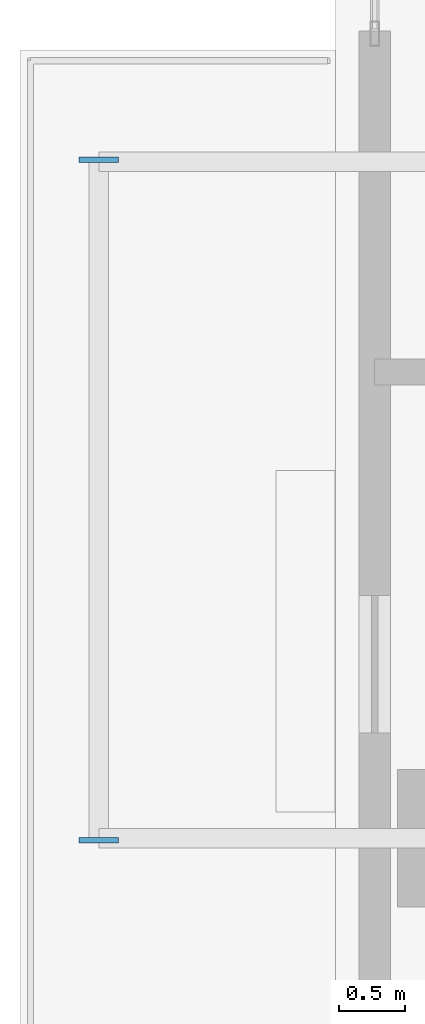
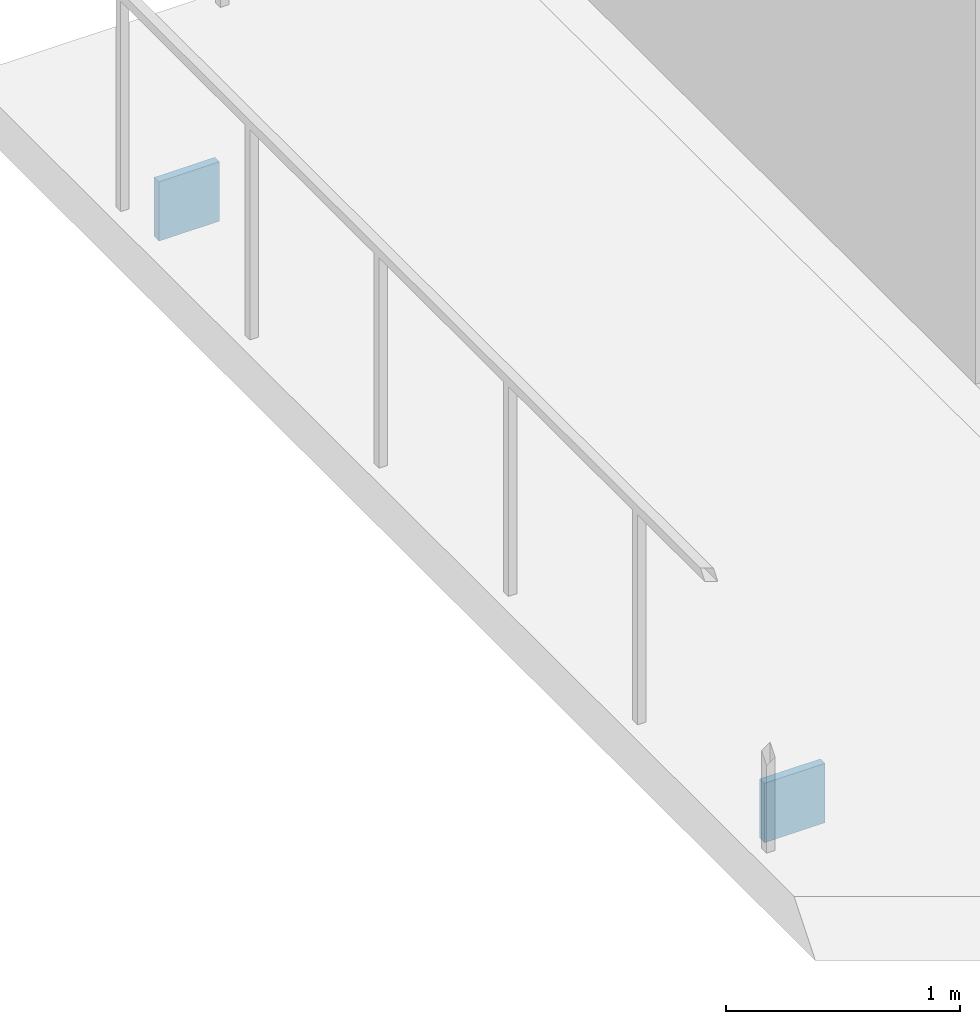
# One storey, part 18 of 25: 2 plates.
"""IFC4 building model written with IfcOpenShell, lengths in metres."""

from ifc_helpers import new_model, si_unit, direction, frame, origin, origin_2d, place, context, subcontext, project, spatial, rectangle, extrude, material, layer, layer_set, type_object, element, save


model = new_model("IFC4")

# Units and contexts
model_context = context("Model", 3, precision=1e-05, world=origin(), true_north=direction((0.0, 1.0)))
body_context = subcontext(model_context, "Body", "Model", "MODEL_VIEW")
ifc_project = project(units=[si_unit("LENGTHUNIT", "METRE"), si_unit("AREAUNIT", "SQUARE_METRE"), si_unit("VOLUMEUNIT", "CUBIC_METRE"), si_unit("PLANEANGLEUNIT", "RADIAN"), si_unit("MASSUNIT", "GRAM", prefix="KILO"), si_unit("THERMODYNAMICTEMPERATUREUNIT", "KELVIN"), si_unit("POWERUNIT", "WATT")], contexts=[model_context])

# Site, building, storey
site_placement = place(None, origin())
site = spatial("IfcSite", under=ifc_project, at=site_placement, CompositionType="ELEMENT")
building_placement = place(site_placement, origin())
building = spatial("IfcBuilding", under=site, at=building_placement, Name="Svarakhadi Broadcast Tower", CompositionType="ELEMENT")
storey_placement = place(building_placement, frame((0.0, 0.0, 231.14990234375)))
storey = spatial("IfcBuildingStorey", under=building, at=storey_placement, Name="L57", CompositionType="ELEMENT", Elevation=231.14990234375)

# Plates
ifc_material = material(Name="Steel S460ML (IS 2062 E450BR)", Category="steel")
ifc_layer = layer(ifc_material, 0.028076171875)
ifc_layer_set = layer_set([ifc_layer], Name="Steel S460ML (IS 2062 E450BR)")
plate_type = type_object("IfcPlateType", Name="Cap_Plate_CP02", PredefinedType="USERDEFINED", material=ifc_layer_set)
for number, where, z_axis, x_axis, name in (
    (1, (-1.800048828125, 23.985107421875, -0.5048828125), (0.0, 0.0, 1.0), (1.0, 0.0, 0.0), "L57 Balcony Spandrel End Cap Plate 2F-A"),
    (2, (-1.800048828125, 29.1650390625, -0.5048828125), (0.0, 0.0, 1.0), (1.0, 0.0, 0.0), "L57 Balcony Spandrel End Cap Plate 2F-B"),
):
    element("IfcPlate", number, at=place(storey_placement, frame(where, z_axis=z_axis, x_axis=x_axis)), inside=storey, type_object=plate_type, Name=name, ObjectType="FLANGE_PLATE", PredefinedType="USERDEFINED", context=body_context, shape_type="SweptSolid", body=[
        extrude(rectangle(XDim=0.300048828125, YDim=0.0400390625, at=origin_2d()), origin(), (0.0, 0.0, 1.0), 0.31005859375),
    ])

save(model, "model.ifc")
